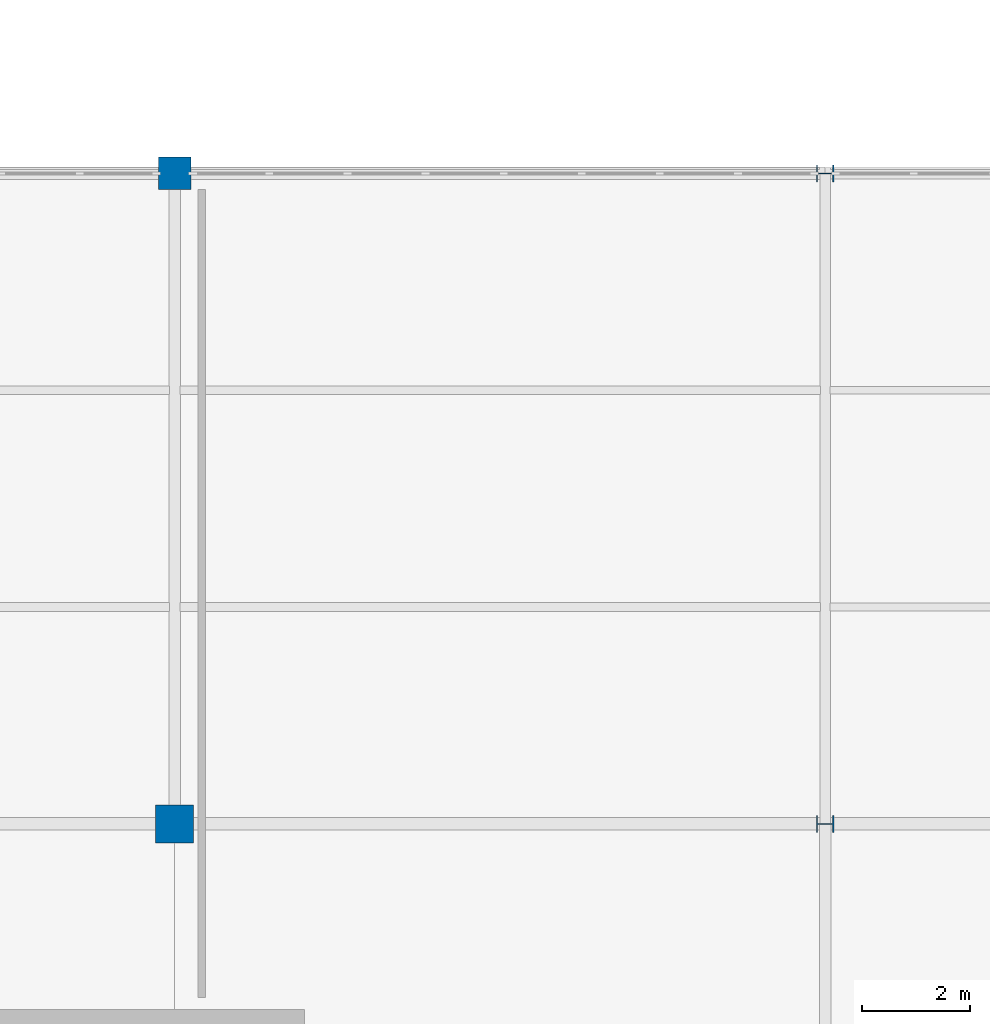
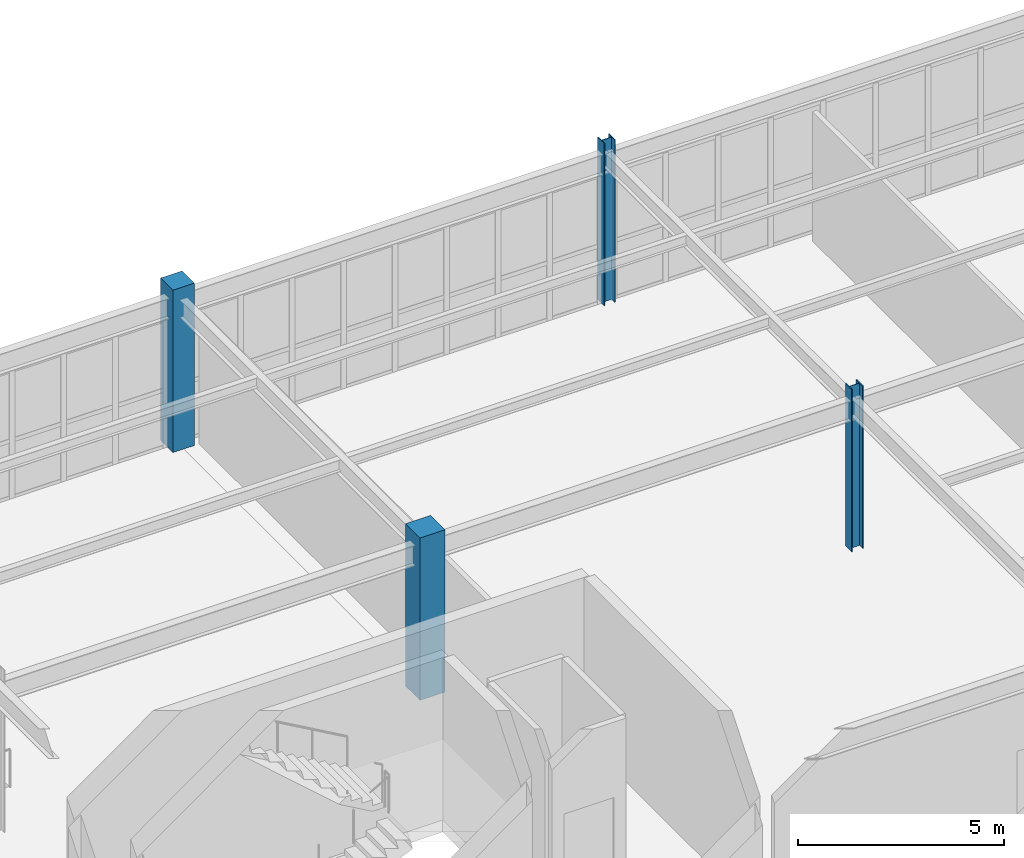
# One storey, part 47 of 226: 4 columns.
"""IFC4 building model written with IfcOpenShell, lengths in metres."""

import ifcopenshell
import ifcopenshell.guid

model = None  # the IFC model being written
_history = None  # IfcOwnerHistory: only IFC2X3 demands one
_inside = {}  # id of a spatial element -> (the spatial element, [elements in it])
_under = {}  # id of a project, library or spatial element -> (it, [spatial elements below it])
_declared = {}  # id of a project -> (the project, [libraries it declares])
_typed = {}  # id of a type object -> (the type object, [elements of that type])
_made_of = {}  # id of a material, layer set ... -> (it, [elements and type objects made of it])


def new_model(schema):
    """Start an empty IFC model of exactly this schema.

    Asked for "IFC4X3", IfcOpenShell would pick the latest addendum, in which some entities
    have other attributes; the version numbers below select the first issue.
    IFC2X3 requires an IfcOwnerHistory on every rooted entity: one is made here for all.
    """
    global model, _history
    if schema == "IFC4X3":
        model = ifcopenshell.file(schema_version=(4, 3, 0, 0))
    else:
        model = ifcopenshell.file(schema=schema)
    _inside.clear()
    _under.clear()
    _declared.clear()
    _typed.clear()
    _made_of.clear()
    _history = None
    if model.schema == "IFC2X3":
        org = make("IfcOrganization", Name="unknown")
        user = make(
            "IfcPersonAndOrganization",
            ThePerson=make("IfcPerson", FamilyName="unknown"),
            TheOrganization=org,
        )
        app = make(
            "IfcApplication",
            ApplicationDeveloper=org,
            Version="unknown",
            ApplicationFullName="unknown",
            ApplicationIdentifier="unknown",
        )
        _history = make(
            "IfcOwnerHistory",
            OwningUser=user,
            OwningApplication=app,
            ChangeAction="ADDED",
            CreationDate=0,
        )
    return model


def make(cls, **values):
    """One entity of the class cls with the attributes given. An attribute that is None is left unset."""
    return model.create_entity(
        cls, **{name: value for name, value in values.items() if value is not None}
    )


def rooted(cls, **values):
    """An entity with a GlobalId (a new one), such as an element, a storey or a relation."""
    return make(cls, GlobalId=ifcopenshell.guid.new(), OwnerHistory=_history, **values)


def si_unit(unit_type, name, prefix=None):
    """IfcSIUnit, for example si_unit("LENGTHUNIT", "METRE", prefix="MILLI")."""
    return make("IfcSIUnit", UnitType=unit_type, Prefix=prefix, Name=name)


def assignment(units):
    """IfcUnitAssignment: the units of a project."""
    return None if units is None else make("IfcUnitAssignment", Units=units)


def point(xyz):
    """IfcCartesianPoint."""
    return None if xyz is None else make("IfcCartesianPoint", Coordinates=xyz)


def direction(xyz):
    """IfcDirection."""
    return None if xyz is None else make("IfcDirection", DirectionRatios=xyz)


def frame(location, z_axis=None, x_axis=None):
    """IfcAxis2Placement3D, a coordinate frame: its origin and axes. An axis left out is left unset."""
    return make(
        "IfcAxis2Placement3D",
        Location=point(location),
        Axis=direction(z_axis),
        RefDirection=direction(x_axis),
    )


def frame_2d(location, x_axis=None):
    """IfcAxis2Placement2D, a coordinate frame in the plane: its origin and x axis."""
    return make(
        "IfcAxis2Placement2D", Location=point(location), RefDirection=direction(x_axis)
    )


def origin():
    """The frame at (0, 0, 0) with its axes left unset."""
    return frame((0.0, 0.0, 0.0))


def origin_2d():
    """The frame at (0, 0) in the plane with its x axis left unset."""
    return frame_2d((0.0, 0.0))


def place(relative_to, where):
    """IfcLocalPlacement: puts the frame where relative to a parent placement (None: the world)."""
    return make(
        "IfcLocalPlacement", PlacementRelTo=relative_to, RelativePlacement=where
    )


def context(
    kind, dimensions, precision=None, world=None, true_north=None, identifier=None
):
    """IfcGeometricRepresentationContext, for example the 3D "Model" context."""
    return make(
        "IfcGeometricRepresentationContext",
        ContextIdentifier=identifier,
        ContextType=kind,
        CoordinateSpaceDimension=dimensions,
        Precision=precision,
        WorldCoordinateSystem=world,
        TrueNorth=true_north,
    )


def subcontext(parent, identifier, kind, view, scale=None):
    """IfcGeometricRepresentationSubContext, for example "Body" below "Model"."""
    return make(
        "IfcGeometricRepresentationSubContext",
        ContextIdentifier=identifier,
        ContextType=kind,
        ParentContext=parent,
        TargetScale=scale,
        TargetView=view,
    )


def project(units=None, contexts=None):
    """IfcProject with its units and contexts."""
    return rooted(
        "IfcProject",
        Name="project",
        RepresentationContexts=contexts,
        UnitsInContext=assignment(units),
    )


def spatial(cls, under=None, at=None, **own):
    """A site, building, storey or space (cls), placed at a placement, below another one or the project."""
    s = rooted(cls, ObjectPlacement=at, **own)
    if under is not None:
        _under.setdefault(under.id(), (under, []))[1].append(s)
    return s


def profile(cls, at=None, kind="AREA", **sizes):
    """A parametric profile (cls). Its sizes go by their IFC names, for example OverallWidth=200.0."""
    return make(cls, ProfileType=kind, Position=at, **sizes)


def rectangle(**sizes):
    """IfcRectangleProfileDef."""
    return profile("IfcRectangleProfileDef", **sizes)


def i_section(**sizes):
    """IfcIShapeProfileDef."""
    return profile("IfcIShapeProfileDef", **sizes)


def extrude(swept, where, along, depth):
    """IfcExtrudedAreaSolid: the profile swept, set in the frame where, extruded along a direction by depth."""
    return make(
        "IfcExtrudedAreaSolid",
        SweptArea=swept,
        Position=where,
        ExtrudedDirection=direction(along),
        Depth=depth,
    )


def shape(context_of_items, identifier, shape_type, items):
    """IfcShapeRepresentation: the items that make up one representation, for example the "Body"."""
    return make(
        "IfcShapeRepresentation",
        ContextOfItems=context_of_items,
        RepresentationIdentifier=identifier,
        RepresentationType=shape_type,
        Items=items,
    )


def material(Name=None, Category=None):
    """IfcMaterial."""
    return make("IfcMaterial", Name=Name, Category=Category)


def material_profile(
    of_material, cross_section, Name=None, Category=None, Priority=None
):
    """IfcMaterialProfile: a cross section and its material."""
    return make(
        "IfcMaterialProfile",
        Name=Name,
        Material=of_material,
        Profile=cross_section,
        Priority=Priority,
        Category=Category,
    )


def profile_set(profiles, Name=None, composite=None):
    """IfcMaterialProfileSet."""
    return make(
        "IfcMaterialProfileSet",
        Name=Name,
        MaterialProfiles=profiles,
        CompositeProfile=composite,
    )


def made_of(thing, what):
    """Note that an element or type object is made of a material, layer set ...; save() writes the relation."""
    if what is not None:
        _made_of.setdefault(what.id(), (what, []))[1].append(thing)
    return thing


def type_object(cls, material=None, **own):
    """A type object (cls), such as IfcWallType, which elements share."""
    return made_of(rooted(cls, **own), material)


def element(
    cls,
    number,
    at=None,
    inside=None,
    cuts=None,
    type_object=None,
    material=None,
    context=None,
    identifier="Body",
    shape_type=None,
    held_by="IfcProductDefinitionShape",
    body=None,
    shapes=None,
    **own,
):
    """One element of the class cls, such as IfcWall. Its Tag is "e" and its number.

    at: its placement. inside: the storey or other place that contains it. cuts: it is an
    opening in that element (IfcRelVoidsElement). A single representation is given by context,
    identifier, shape_type and body (its items); several are given by shapes. held_by: the class
    of the entity that holds the representations. save() writes the other relations.
    """
    e = rooted(cls, Tag="e%d" % number, ObjectPlacement=at, **own)
    if body is not None:
        shapes = [shape(context, identifier, shape_type, body)]
    if shapes is not None:
        e.Representation = make(held_by, Representations=shapes)
    if inside is not None:
        _inside.setdefault(inside.id(), (inside, []))[1].append(e)
    if cuts is not None:
        rooted(
            "IfcRelVoidsElement", RelatingBuildingElement=cuts, RelatedOpeningElement=e
        )
    if type_object is not None:
        _typed.setdefault(type_object.id(), (type_object, []))[1].append(e)
    return made_of(e, material)


def aggregate(whole, parts):
    """IfcRelAggregates: a whole, such as a stair, and the parts it consists of."""
    return rooted("IfcRelAggregates", RelatingObject=whole, RelatedObjects=parts)


def save(model, path):
    """Write the relations noted so far, then the file.

    IfcRelAggregates (storeys below a building ...), IfcRelContainedInSpatialStructure (elements
    in a storey), IfcRelDefinesByType, IfcRelAssociatesMaterial and IfcRelDeclares: one each for
    every whole, place, type object, material and project.
    """
    for whole, parts in _under.values():
        aggregate(whole, parts)
    for where, things in _inside.values():
        rooted(
            "IfcRelContainedInSpatialStructure",
            RelatedElements=things,
            RelatingStructure=where,
        )
    for kind, things in _typed.values():
        rooted("IfcRelDefinesByType", RelatedObjects=things, RelatingType=kind)
    for what, things in _made_of.values():
        rooted("IfcRelAssociatesMaterial", RelatedObjects=things, RelatingMaterial=what)
    for by, libraries in _declared.values():
        rooted("IfcRelDeclares", RelatingContext=by, RelatedDefinitions=libraries)
    model.write(path)


model = new_model("IFC4")

# Units and contexts
model_context = context("Model", 3, precision=1e-05, world=origin(), true_north=direction((0.0, 1.0)))
body_context = subcontext(model_context, "Body", "Model", "MODEL_VIEW")
ifc_project = project(units=[si_unit("LENGTHUNIT", "METRE"), si_unit("AREAUNIT", "SQUARE_METRE"), si_unit("VOLUMEUNIT", "CUBIC_METRE"), si_unit("PLANEANGLEUNIT", "RADIAN"), si_unit("MASSUNIT", "GRAM", prefix="KILO")], contexts=[model_context])

# Site, building, storey
site_placement = place(None, origin())
site = spatial("IfcSite", under=ifc_project, at=site_placement, CompositionType="ELEMENT")
building_placement = place(site_placement, origin())
building = spatial("IfcBuilding", under=site, at=building_placement, Name="Tarnwether General Hospital", CompositionType="ELEMENT")
storey_placement = place(building_placement, frame((0.0, 0.0, 4.800048828125)))
storey = spatial("IfcBuildingStorey", under=building, at=storey_placement, Name="L01", CompositionType="ELEMENT", Elevation=4.800048828125)

# Columns
ifc_material_1 = material(Name="Steel Grade 350 (350 MPa)", Category="steel")
ifc_material_profile_1 = material_profile(ifc_material_1, i_section(OverallWidth=0.31103515625, OverallDepth=0.326904296875, WebThickness=0.015625, FlangeThickness=0.02490234375, at=origin_2d()), Name="310UC158")
ifc_profile_set_1 = profile_set([ifc_material_profile_1], Name="Steel Grade 350 (350 MPa)")
column_type_1 = type_object("IfcColumnType", Name="COL-05", PredefinedType="COLUMN", material=ifc_profile_set_1)
column_1_placement = place(storey_placement, frame((180.0, 33.60009765625, 0.0), z_axis=(0.0, 0.0, 1.0), x_axis=(0.0, 1.0, 0.0)))
element("IfcColumn", 1, at=column_1_placement, inside=storey, type_object=column_type_1, Name="Column COLG-L01-18000_3360", PredefinedType="COLUMN", context=body_context, shape_type="SweptSolid", body=[
    extrude(i_section(OverallWidth=0.31103515625, OverallDepth=0.326904296875, WebThickness=0.015625, FlangeThickness=0.02490234375, at=origin_2d()), origin(), (0.0, 0.0, 1.0), 4.800048828125),
])
ifc_material_2 = material(Name="Steel Grade 350 (350 MPa)", Category="steel")
ifc_material_profile_2 = material_profile(ifc_material_2, i_section(OverallWidth=0.30908203125, OverallDepth=0.321044921875, WebThickness=0.013916015625, FlangeThickness=0.021728515625, at=origin_2d()), Name="310UC137")
ifc_profile_set_2 = profile_set([ifc_material_profile_2], Name="Steel Grade 350 (350 MPa)")
column_type_2 = type_object("IfcColumnType", Name="COL-06", PredefinedType="COLUMN", material=ifc_profile_set_2)
column_2_placement = place(storey_placement, frame((180.0, 45.60009765625, 0.0), z_axis=(0.0, 0.0, 1.0), x_axis=(0.0, 1.0, 0.0)))
element("IfcColumn", 2, at=column_2_placement, inside=storey, type_object=column_type_2, Name="Column COLG-L01-18000_4560", PredefinedType="COLUMN", context=body_context, shape_type="SweptSolid", body=[
    extrude(i_section(OverallWidth=0.30908203125, OverallDepth=0.321044921875, WebThickness=0.013916015625, FlangeThickness=0.021728515625, at=origin_2d()), origin(), (0.0, 0.0, 1.0), 4.800048828125),
])
ifc_material_3 = material(Name="Concrete 50 MPa", Category="concrete")
ifc_material_profile_3 = material_profile(ifc_material_3, rectangle(XDim=0.699951171875, YDim=0.699951171875, at=origin_2d()), Name="RC-COL-700x700")
ifc_profile_set_3 = profile_set([ifc_material_profile_3], Name="Concrete 50 MPa")
column_type_3 = type_object("IfcColumnType", Name="COL-18", PredefinedType="COLUMN", material=ifc_profile_set_3)
column_3_placement = place(storey_placement, frame((168.0, 33.60009765625, 0.0), z_axis=(0.0, 0.0, 1.0), x_axis=(1.0, 0.0, 0.0)))
element("IfcColumn", 3, at=column_3_placement, inside=storey, type_object=column_type_3, Name="Column COLG-L01-16800_3360", PredefinedType="COLUMN", context=body_context, shape_type="SweptSolid", body=[
    extrude(rectangle(XDim=0.699951171875, YDim=0.699951171875, at=origin_2d()), origin(), (0.0, 0.0, 1.0), 4.800048828125),
])
ifc_material_4 = material(Name="Concrete 50 MPa", Category="concrete")
ifc_material_profile_4 = material_profile(ifc_material_4, rectangle(XDim=0.60009765625, YDim=0.60009765625, at=origin_2d()), Name="RC-COL-600x600")
ifc_profile_set_4 = profile_set([ifc_material_profile_4], Name="Concrete 50 MPa")
column_type_4 = type_object("IfcColumnType", Name="COL-19", PredefinedType="COLUMN", material=ifc_profile_set_4)
column_4_placement = place(storey_placement, frame((168.0, 45.60009765625, 0.0), z_axis=(0.0, 0.0, 1.0), x_axis=(1.0, 0.0, 0.0)))
element("IfcColumn", 4, at=column_4_placement, inside=storey, type_object=column_type_4, Name="Column COLG-L01-16800_4560", PredefinedType="COLUMN", context=body_context, shape_type="SweptSolid", body=[
    extrude(rectangle(XDim=0.60009765625, YDim=0.60009765625, at=origin_2d()), origin(), (0.0, 0.0, 1.0), 4.800048828125),
])

save(model, "model.ifc")
